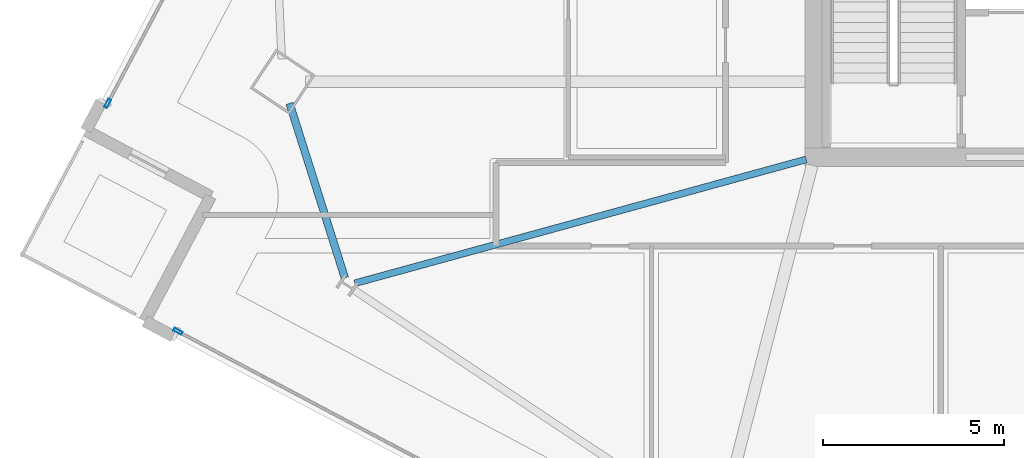
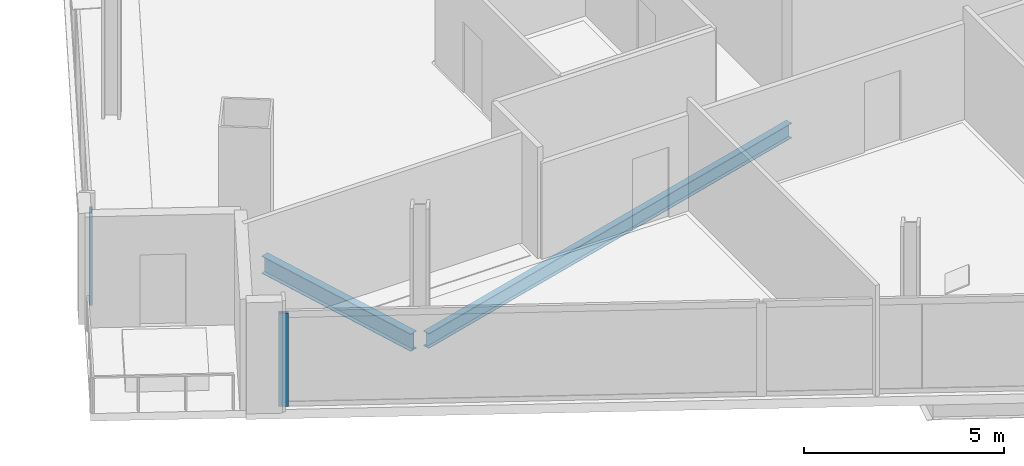
# One storey, part 5 of 28: 2 beams, 2 members, 2 elements without a shape of their own.
"""IFC4 building model written with IfcOpenShell, lengths in metres."""

from ifc_helpers import new_model, si_unit, direction, frame, origin, origin_2d, place, context, subcontext, project, spatial, hollow_rectangle, i_section, extrude, material, material_profile, profile_set, type_object, element, aggregate, save


model = new_model("IFC4")

# Units and contexts
model_context = context("Model", 3, precision=1e-05, world=origin(), true_north=direction((0.0, 1.0)))
body_context = subcontext(model_context, "Body", "Model", "MODEL_VIEW")
ifc_project = project(units=[si_unit("LENGTHUNIT", "METRE"), si_unit("AREAUNIT", "SQUARE_METRE"), si_unit("VOLUMEUNIT", "CUBIC_METRE"), si_unit("PLANEANGLEUNIT", "RADIAN"), si_unit("MASSUNIT", "GRAM", prefix="KILO")], contexts=[model_context])

# Site, building, storey
site_placement = place(None, origin())
site = spatial("IfcSite", under=ifc_project, at=site_placement, CompositionType="ELEMENT")
building_placement = place(site_placement, origin())
building = spatial("IfcBuilding", under=site, at=building_placement, Name="Haldenkirk Collegiate Tower", CompositionType="ELEMENT")
storey_placement = place(building_placement, frame((0.0, 0.0, 235.949951171875)))
storey = spatial("IfcBuildingStorey", under=building, at=storey_placement, Name="L59", CompositionType="ELEMENT", Elevation=235.949951171875)

# Beams
ifc_material_1 = material(Name="Steel ASTM A992 Grade 50", Category="steel")
ifc_material_profile_1 = material_profile(ifc_material_1, i_section(OverallWidth=0.18994140625, OverallDepth=0.45703125, WebThickness=0.009033203125, FlangeThickness=0.014404296875, at=origin_2d()), Name="W18X50")
ifc_profile_set_1 = profile_set([ifc_material_profile_1], Name="Steel ASTM A992 Grade 50")
beam_type_1 = type_object("IfcBeamType", Name="BM-JOIST-W18X50", PredefinedType="JOIST", material=ifc_profile_set_1)
beam_1_placement = place(storey_placement, frame((14.2978515625, 14.514892578125, -0.508544921875), z_axis=(0.964359566427, 0.264595212807, 0.0), x_axis=(-0.264595212807, 0.964359566427, 0.0)))
element("IfcBeam", 1, at=beam_1_placement, inside=storey, type_object=beam_type_1, Name="L59 composite floor joist 14", PredefinedType="JOIST", context=body_context, shape_type="SweptSolid", body=[
    extrude(i_section(OverallWidth=0.18994140625, OverallDepth=0.45703125, WebThickness=0.009033203125, FlangeThickness=0.014404296875, at=origin_2d()), origin(), (0.0, 0.0, 1.0), 12.941650390625),
])
ifc_material_profile_2 = material_profile(ifc_material_1, i_section(OverallWidth=0.2099609375, OverallDepth=0.537109375, WebThickness=0.010986328125, FlangeThickness=0.017333984375, at=origin_2d()), Name="W21X68")
ifc_profile_set_2 = profile_set([ifc_material_profile_2], Name="Steel ASTM A992 Grade 50")
beam_type_2 = type_object("IfcBeamType", Name="BM-SPANDREL-W21X68", PredefinedType="SPANDREL", material=ifc_profile_set_2)
beam_2_placement = place(storey_placement, frame((12.494873046875, 19.489013671875, -0.54833984375), z_axis=(0.301937009704, -0.95332787758, 0.0), x_axis=(0.95332787758, 0.301937009704, 0.0)))
element("IfcBeam", 2, at=beam_2_placement, inside=storey, type_object=beam_type_2, Name="L59 perimeter spandrel beam 13", PredefinedType="SPANDREL", context=body_context, shape_type="SweptSolid", body=[
    extrude(i_section(OverallWidth=0.2099609375, OverallDepth=0.537109375, WebThickness=0.010986328125, FlangeThickness=0.017333984375, at=origin_2d()), origin(), (0.0, 0.0, 1.0), 5.060791015625),
])

# Curtain wall, member
ifc_material_2 = material(Name="Anodised architectural bronze aluminium", Category="aluminium")
curtain_wall_type = type_object("IfcCurtainWallType", Name="CW-SYS1B-CONVEX-HI", PredefinedType="USERDEFINED", material=ifc_material_2)
curtain_wall_1_placement = place(storey_placement, origin())
curtain_wall_1 = element("IfcCurtainWall", 3, at=curtain_wall_1_placement, inside=storey, type_object=curtain_wall_type, Name="L59 Upper tower high-wind convex bronze unitised curtain wall", ObjectType="UNITISED CURTAIN WALL", PredefinedType="USERDEFINED")
ifc_material_profile_3 = material_profile(ifc_material_2, hollow_rectangle(XDim=0.0849609375, YDim=0.25, WallThickness=0.0048828125, at=origin_2d()), Name="CW-MUL-1B")
ifc_profile_set_3 = profile_set([ifc_material_profile_3], Name="Anodised architectural bronze aluminium")
member_type = type_object("IfcMemberType", Name="CW-MUL-1B", PredefinedType="MULLION", material=ifc_profile_set_3)
member_1_placement = place(storey_placement, frame((7.4658203125, 19.487548828125, 0.0), z_axis=(0.0, 0.0, 1.0), x_axis=(-0.883764543584, 0.467931866304, 0.0)))
member_1 = element("IfcMember", 4, at=member_1_placement, type_object=member_type, Name="CW-1B mullion 1", PredefinedType="MULLION", context=body_context, shape_type="SweptSolid", body=[
    extrude(hollow_rectangle(XDim=0.0849609375, YDim=0.25, WallThickness=0.0048828125, at=origin_2d()), origin(), (0.0, 0.0, 1.0), 2.858154296875),
])
aggregate(curtain_wall_1, [member_1])

curtain_wall_2_placement = place(storey_placement, origin())
curtain_wall_2 = element("IfcCurtainWall", 5, at=curtain_wall_2_placement, inside=storey, type_object=curtain_wall_type, Name="L59 Upper tower high-wind convex bronze unitised curtain wall", ObjectType="UNITISED CURTAIN WALL", PredefinedType="USERDEFINED")
member_2_placement = place(storey_placement, frame((9.40478515625, 13.185302734375, 0.0), z_axis=(0.0, 0.0, 1.0), x_axis=(-0.467931023072, -0.883764990055, 0.0)))
member_2 = element("IfcMember", 6, at=member_2_placement, type_object=member_type, Name="CW-1B mullion 4", PredefinedType="MULLION", context=body_context, shape_type="SweptSolid", body=[
    extrude(hollow_rectangle(XDim=0.0849609375, YDim=0.25, WallThickness=0.0048828125, at=origin_2d()), origin(), (0.0, 0.0, 1.0), 2.858154296875),
])
aggregate(curtain_wall_2, [member_2])

save(model, "model.ifc")
